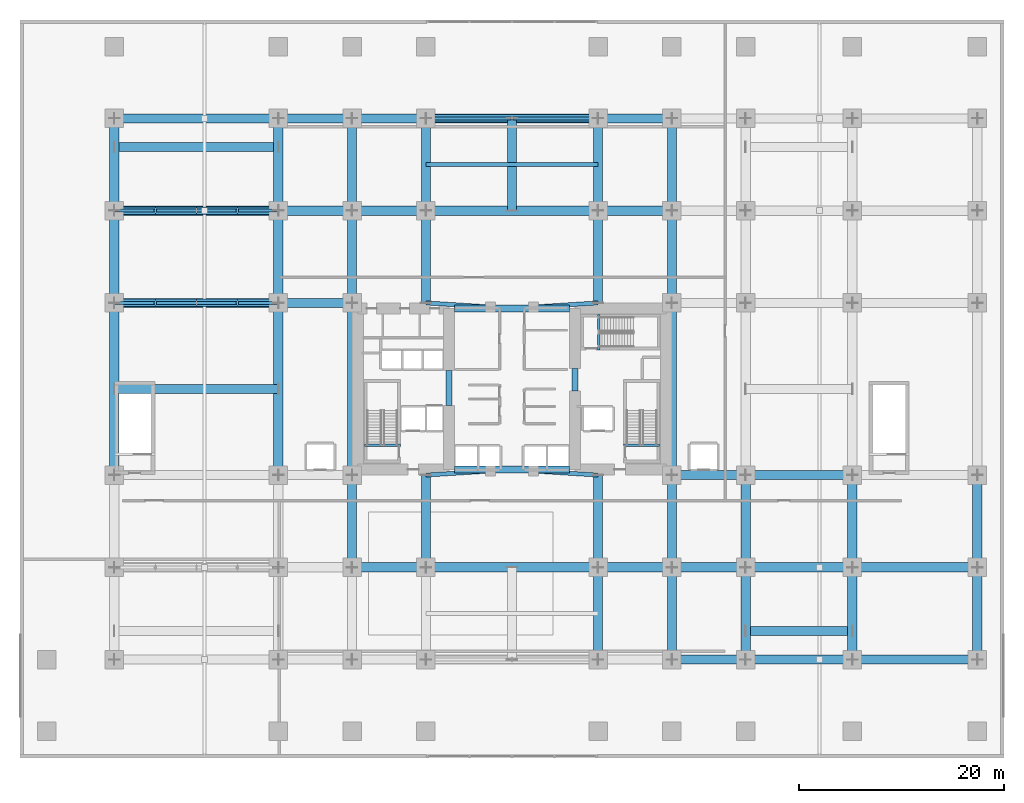
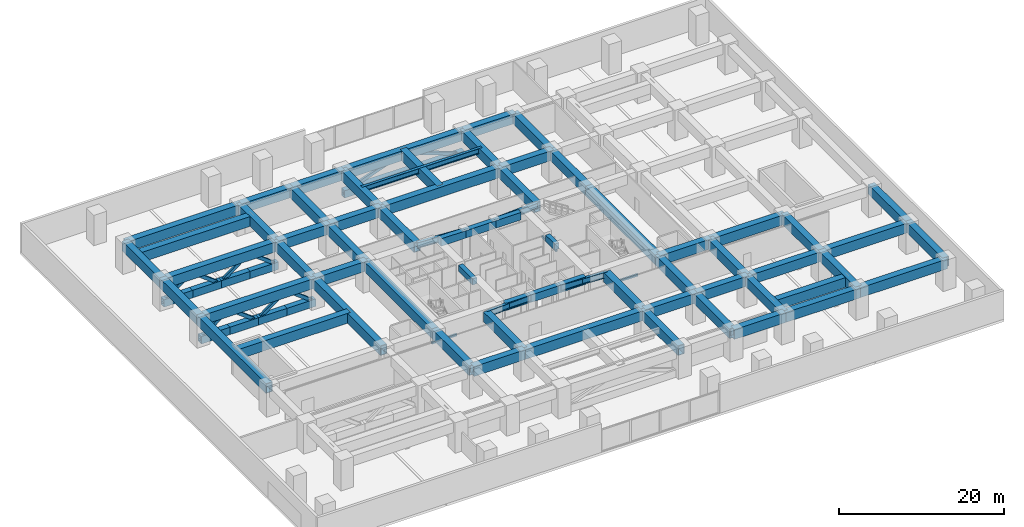
# One storey, part 5 of 25: 71 beams, 19 members.
"""IFC4 building model written with IfcOpenShell, lengths in metres."""

from ifc_helpers import new_model, si_unit, direction, frame, origin, origin_2d, place, context, subcontext, project, spatial, rectangle, hollow_rectangle, i_section, extrude, material, material_profile, profile_set, type_object, element, save


model = new_model("IFC4")

# Units and contexts
model_context = context("Model", 3, precision=1e-05, world=origin(), true_north=direction((0.0, 1.0)))
body_context = subcontext(model_context, "Body", "Model", "MODEL_VIEW")
ifc_project = project(units=[si_unit("LENGTHUNIT", "METRE"), si_unit("AREAUNIT", "SQUARE_METRE"), si_unit("VOLUMEUNIT", "CUBIC_METRE"), si_unit("PLANEANGLEUNIT", "RADIAN"), si_unit("MASSUNIT", "GRAM", prefix="KILO")], contexts=[model_context])

# Site, building, storey
site_placement = place(None, origin())
site = spatial("IfcSite", under=ifc_project, at=site_placement, CompositionType="ELEMENT")
building_placement = place(site_placement, origin())
building = spatial("IfcBuilding", under=site, at=building_placement, Name="Kiyonajd Concourse Tower", CompositionType="ELEMENT")
storey_placement = place(building_placement, frame((0.0, 0.0, 17.10009765625)))
storey = spatial("IfcBuildingStorey", under=building, at=storey_placement, Name="L05", CompositionType="ELEMENT", Elevation=17.10009765625)

# Beams
ifc_material_1 = material(Name="Concrete C70/85", Category="concrete")
ifc_material_profile_1 = material_profile(ifc_material_1, rectangle(XDim=0.699951171875, YDim=1.10009765625, at=origin_2d()), Name="RCBM-700x1100")
ifc_profile_set_1 = profile_set([ifc_material_profile_1], Name="Concrete C70/85")
beam_type_1 = type_object("IfcBeamType", Name="BM-COUP-1100", PredefinedType="LINTEL", material=ifc_profile_set_1)
beam_1_placement = place(storey_placement, frame((42.39990234375, 28.14990234375, 3.68994140625), z_axis=(1.0, 0.0, 0.0), x_axis=(0.0, 1.0, 0.0)))
element("IfcBeam", 1, at=beam_1_placement, inside=storey, type_object=beam_type_1, Name="L05 Core Coupling Beam S1", PredefinedType="LINTEL", context=body_context, shape_type="SweptSolid", body=[
    extrude(rectangle(XDim=0.699951171875, YDim=1.10009765625, at=origin_2d()), origin(), (0.0, 0.0, 1.0), 3.5),
])
beam_2_placement = place(storey_placement, frame((45.89990234375, 28.14990234375, 3.68994140625), z_axis=(1.0, 0.0, 0.0), x_axis=(0.0, 1.0, 0.0)))
element("IfcBeam", 2, at=beam_2_placement, inside=storey, type_object=beam_type_1, Name="L05 Core Coupling Beam S2", PredefinedType="LINTEL", context=body_context, shape_type="SweptSolid", body=[
    extrude(rectangle(XDim=0.699951171875, YDim=1.10009765625, at=origin_2d()), origin(), (0.0, 0.0, 1.0), 4.2001953125),
])
for number, where, z_axis, x_axis, name in (
    (3, (50.10009765625, 28.14990234375, 3.68994140625), (1.0, 0.0, 0.0), (0.0, 1.0, 0.0), "L05 Core Coupling Beam S3"),
    (4, (42.39990234375, 43.85009765625, 3.68994140625), (1.0, 0.0, 0.0), (0.0, 1.0, 0.0), "L05 Core Coupling Beam N1"),
):
    element("IfcBeam", number, at=place(storey_placement, frame(where, z_axis=z_axis, x_axis=x_axis)), inside=storey, type_object=beam_type_1, Name=name, PredefinedType="LINTEL", context=body_context, shape_type="SweptSolid", body=[
        extrude(rectangle(XDim=0.699951171875, YDim=1.10009765625, at=origin_2d()), origin(), (0.0, 0.0, 1.0), 3.5),
    ])
beam_3_placement = place(storey_placement, frame((45.89990234375, 43.85009765625, 3.68994140625), z_axis=(1.0, 0.0, 0.0), x_axis=(0.0, 1.0, 0.0)))
element("IfcBeam", 5, at=beam_3_placement, inside=storey, type_object=beam_type_1, Name="L05 Core Coupling Beam N2", PredefinedType="LINTEL", context=body_context, shape_type="SweptSolid", body=[
    extrude(rectangle(XDim=0.699951171875, YDim=1.10009765625, at=origin_2d()), origin(), (0.0, 0.0, 1.0), 4.2001953125),
])
beam_4_placement = place(storey_placement, frame((50.10009765625, 43.85009765625, 3.68994140625), z_axis=(1.0, 0.0, 0.0), x_axis=(0.0, 1.0, 0.0)))
element("IfcBeam", 6, at=beam_4_placement, inside=storey, type_object=beam_type_1, Name="L05 Core Coupling Beam N3", PredefinedType="LINTEL", context=body_context, shape_type="SweptSolid", body=[
    extrude(rectangle(XDim=0.699951171875, YDim=1.10009765625, at=origin_2d()), origin(), (0.0, 0.0, 1.0), 3.5),
])
ifc_material_2 = material(Name="Concrete C60/75", Category="concrete")
ifc_material_profile_2 = material_profile(ifc_material_2, rectangle(XDim=0.60009765625, YDim=0.89990234375, at=origin_2d()), Name="RCBM-600x900")
ifc_profile_set_2 = profile_set([ifc_material_profile_2], Name="Concrete C60/75")
beam_type_2 = type_object("IfcBeamType", Name="BM-COUP-900", PredefinedType="LINTEL", material=ifc_profile_set_2)
beam_5_placement = place(storey_placement, frame((41.85009765625, 34.39990234375, 3.68994140625), z_axis=(0.0, 1.0, 0.0), x_axis=(-1.0, 0.0, 0.0)))
element("IfcBeam", 7, at=beam_5_placement, inside=storey, type_object=beam_type_2, Name="L05 West Core Throat Coupling Lintel", PredefinedType="LINTEL", context=body_context, shape_type="SweptSolid", body=[
    extrude(rectangle(XDim=0.60009765625, YDim=0.89990234375, at=origin_2d()), origin(), (0.0, 0.0, 1.0), 3.400146484375),
])
beam_6_placement = place(storey_placement, frame((54.14990234375, 35.800048828125, 3.68994140625), z_axis=(0.0, 1.0, 0.0), x_axis=(-1.0, 0.0, 0.0)))
element("IfcBeam", 8, at=beam_6_placement, inside=storey, type_object=beam_type_2, Name="L05 East Core Throat Coupling Lintel", PredefinedType="LINTEL", context=body_context, shape_type="SweptSolid", body=[
    extrude(rectangle(XDim=0.60009765625, YDim=0.89990234375, at=origin_2d()), origin(), (0.0, 0.0, 1.0), 2.199951171875),
])
ifc_material_3 = material(Name="Concrete C50/60", Category="concrete")
ifc_material_profile_3 = material_profile(ifc_material_3, rectangle(XDim=0.239990234375, YDim=0.320068359375, at=origin_2d()), Name="RCBM-240x320")
ifc_profile_set_3 = profile_set([ifc_material_profile_3], Name="Concrete C50/60")
beam_type_3 = type_object("IfcBeamType", Name="BM-LNT-250", PredefinedType="LINTEL", material=ifc_profile_set_3)
for number, where, z_axis, x_axis, name in (
    (9, (33.590087890625, 30.530029296875, -0.16015625), (1.0, 0.0, 0.0), (0.0, 1.0, 0.0), "L05 Stair ST1 Threshold Support Beam"),
    (10, (58.889892578125, 30.530029296875, -0.16015625), (1.0, 0.0, 0.0), (0.0, 1.0, 0.0), "L05 Stair ST2 Threshold Support Beam"),
):
    element("IfcBeam", number, at=place(storey_placement, frame(where, z_axis=z_axis, x_axis=x_axis)), inside=storey, type_object=beam_type_3, Name=name, PredefinedType="LINTEL", context=body_context, shape_type="SweptSolid", body=[
        extrude(rectangle(XDim=0.239990234375, YDim=0.320068359375, at=origin_2d()), origin(), (0.0, 0.0, 1.0), 3.52001953125),
    ])
beam_7_placement = place(storey_placement, frame((56.4599609375, 39.820068359375, -0.16015625), z_axis=(0.0, 1.0, 0.0), x_axis=(-1.0, 0.0, 0.0)))
element("IfcBeam", 11, at=beam_7_placement, inside=storey, type_object=beam_type_3, Name="L05 Stair ST3 Threshold Support Beam", PredefinedType="LINTEL", context=body_context, shape_type="SweptSolid", body=[
    extrude(rectangle(XDim=0.239990234375, YDim=0.320068359375, at=origin_2d()), origin(), (0.0, 0.0, 1.0), 3.4599609375),
])
ifc_material_4 = material(Name="Steel ASTM A992 Grade 50", Category="steel")
ifc_material_profile_4 = material_profile(ifc_material_4, i_section(OverallWidth=0.381103515625, OverallDepth=0.77294921875, WebThickness=0.0166015625, FlangeThickness=0.027099609375, at=origin_2d()), Name="W760X257")
ifc_profile_set_4 = profile_set([ifc_material_profile_4], Name="Steel ASTM A992 Grade 50")
beam_type_4 = type_object("IfcBeamType", Name="BM-POD-760", PredefinedType="BEAM", material=ifc_profile_set_4)
beam_8_placement = place(storey_placement, frame((39.60009765625, 57.89990234375, 3.853515625), z_axis=(1.0, 0.0, 0.0), x_axis=(0.0, 1.0, 0.0)))
element("IfcBeam", 12, at=beam_8_placement, inside=storey, type_object=beam_type_4, Name="L05 North Loggia Bay Secondary Beam", PredefinedType="BEAM", context=body_context, shape_type="SweptSolid", body=[
    extrude(i_section(OverallWidth=0.381103515625, OverallDepth=0.77294921875, WebThickness=0.0166015625, FlangeThickness=0.027099609375, at=origin_2d()), origin(), (0.0, 0.0, 1.0), 16.7998046875),
])
ifc_material_profile_5 = material_profile(ifc_material_4, i_section(OverallWidth=0.39990234375, OverallDepth=0.85498046875, WebThickness=0.018310546875, FlangeThickness=0.029296875, at=origin_2d()), Name="W840X299")
ifc_profile_set_5 = profile_set([ifc_material_profile_5], Name="Steel ASTM A992 Grade 50")
beam_type_5 = type_object("IfcBeamType", Name="BM-POD-840", PredefinedType="BEAM", material=ifc_profile_set_5)
for number, where, z_axis, x_axis, name in (
    (13, (39.60009765625, 27.60009765625, 3.8125), (0.997991306609, 0.063351021556, 0.0), (-0.063351021556, 0.997991306609, 0.0), "L05 Core Tie Girder"),
    (14, (50.10009765625, 28.0, 3.8125), (0.997991306609, -0.063351021556, 0.0), (0.063351021556, 0.997991306609, 0.0), "L05 Core Tie Girder"),
    (15, (39.60009765625, 44.39990234375, 3.8125), (0.997991306609, -0.063351021556, 0.0), (0.063351021556, 0.997991306609, 0.0), "L05 Core Tie Girder"),
    (16, (50.10009765625, 44.0, 3.8125), (0.997991306609, 0.063351021556, 0.0), (-0.063351021556, 0.997991306609, 0.0), "L05 Core Tie Girder"),
):
    element("IfcBeam", number, at=place(storey_placement, frame(where, z_axis=z_axis, x_axis=x_axis)), inside=storey, type_object=beam_type_5, Name=name, PredefinedType="BEAM", context=body_context, shape_type="SweptSolid", body=[
        extrude(i_section(OverallWidth=0.39990234375, OverallDepth=0.85498046875, WebThickness=0.018310546875, FlangeThickness=0.029296875, at=origin_2d()), origin(), (0.0, 0.0, 1.0), 6.3125),
    ])
ifc_material_5 = material(Name="Steel ASTM A572 Grade 50", Category="steel")
ifc_material_profile_6 = material_profile(ifc_material_5, hollow_rectangle(XDim=0.89990234375, YDim=1.449951171875, WallThickness=0.074951171875, at=origin_2d()), Name="BOX-1450x900x75")
ifc_profile_set_6 = profile_set([ifc_material_profile_6], Name="Steel ASTM A572 Grade 50")
beam_type_6 = type_object("IfcBeamType", Name="BM-XFER-1800", PredefinedType="BEAM", material=ifc_profile_set_6)
beam_9_placement = place(storey_placement, frame((63.60009765625, 9.60009765625, 3.514892578125), z_axis=(1.0, 0.0, 0.0), x_axis=(0.0, 1.0, 0.0)))
element("IfcBeam", 17, at=beam_9_placement, inside=storey, type_object=beam_type_6, Name="L05 Primary Transfer Girder", PredefinedType="BEAM", context=body_context, shape_type="SweptSolid", body=[
    extrude(hollow_rectangle(XDim=0.89990234375, YDim=1.449951171875, WallThickness=0.074951171875, at=origin_2d()), origin(), (0.0, 0.0, 1.0), 7.199951171875),
])
beam_10_placement = place(storey_placement, frame((70.800048828125, 9.60009765625, 3.514892578125), z_axis=(1.0, 0.0, 0.0), x_axis=(0.0, 1.0, 0.0)))
element("IfcBeam", 18, at=beam_10_placement, inside=storey, type_object=beam_type_6, Name="L05 Primary Transfer Girder", PredefinedType="BEAM", context=body_context, shape_type="SweptSolid", body=[
    extrude(hollow_rectangle(XDim=0.89990234375, YDim=1.449951171875, WallThickness=0.074951171875, at=origin_2d()), origin(), (0.0, 0.0, 1.0), 10.39990234375),
])
beam_11_placement = place(storey_placement, frame((81.199951171875, 9.60009765625, 3.534912109375), z_axis=(1.0, 0.0, 0.0), x_axis=(0.0, 1.0, 0.0)))
element("IfcBeam", 19, at=beam_11_placement, inside=storey, type_object=beam_type_6, Name="L05 Primary Transfer Girder", PredefinedType="BEAM", context=body_context, shape_type="SweptSolid", body=[
    extrude(hollow_rectangle(XDim=0.89990234375, YDim=1.449951171875, WallThickness=0.074951171875, at=origin_2d()), origin(), (0.0, 0.0, 1.0), 12.199951171875),
])
beam_12_placement = place(storey_placement, frame((32.39990234375, 18.60009765625, 3.514892578125), z_axis=(1.0, 0.0, 0.0), x_axis=(0.0, 1.0, 0.0)))
element("IfcBeam", 20, at=beam_12_placement, inside=storey, type_object=beam_type_6, Name="L05 Primary Transfer Girder", PredefinedType="BEAM", context=body_context, shape_type="SweptSolid", body=[
    extrude(hollow_rectangle(XDim=0.89990234375, YDim=1.449951171875, WallThickness=0.074951171875, at=origin_2d()), origin(), (0.0, 0.0, 1.0), 7.2001953125),
])
beam_13_placement = place(storey_placement, frame((39.60009765625, 18.60009765625, 3.514892578125), z_axis=(1.0, 0.0, 0.0), x_axis=(0.0, 1.0, 0.0)))
element("IfcBeam", 21, at=beam_13_placement, inside=storey, type_object=beam_type_6, Name="L05 Primary Transfer Girder", PredefinedType="BEAM", context=body_context, shape_type="SweptSolid", body=[
    extrude(hollow_rectangle(XDim=0.89990234375, YDim=1.449951171875, WallThickness=0.074951171875, at=origin_2d()), origin(), (0.0, 0.0, 1.0), 16.7998046875),
])
beam_14_placement = place(storey_placement, frame((56.39990234375, 18.60009765625, 3.514892578125), z_axis=(1.0, 0.0, 0.0), x_axis=(0.0, 1.0, 0.0)))
element("IfcBeam", 22, at=beam_14_placement, inside=storey, type_object=beam_type_6, Name="L05 Primary Transfer Girder", PredefinedType="BEAM", context=body_context, shape_type="SweptSolid", body=[
    extrude(hollow_rectangle(XDim=0.89990234375, YDim=1.449951171875, WallThickness=0.074951171875, at=origin_2d()), origin(), (0.0, 0.0, 1.0), 7.2001953125),
])
beam_15_placement = place(storey_placement, frame((63.60009765625, 18.60009765625, 3.514892578125), z_axis=(1.0, 0.0, 0.0), x_axis=(0.0, 1.0, 0.0)))
element("IfcBeam", 23, at=beam_15_placement, inside=storey, type_object=beam_type_6, Name="L05 Primary Transfer Girder", PredefinedType="BEAM", context=body_context, shape_type="SweptSolid", body=[
    extrude(hollow_rectangle(XDim=0.89990234375, YDim=1.449951171875, WallThickness=0.074951171875, at=origin_2d()), origin(), (0.0, 0.0, 1.0), 7.199951171875),
])
beam_16_placement = place(storey_placement, frame((70.800048828125, 18.60009765625, 3.514892578125), z_axis=(1.0, 0.0, 0.0), x_axis=(0.0, 1.0, 0.0)))
element("IfcBeam", 24, at=beam_16_placement, inside=storey, type_object=beam_type_6, Name="L05 Primary Transfer Girder", PredefinedType="BEAM", context=body_context, shape_type="SweptSolid", body=[
    extrude(hollow_rectangle(XDim=0.89990234375, YDim=1.449951171875, WallThickness=0.074951171875, at=origin_2d()), origin(), (0.0, 0.0, 1.0), 10.39990234375),
])
beam_17_placement = place(storey_placement, frame((81.199951171875, 18.60009765625, 3.534912109375), z_axis=(1.0, 0.0, 0.0), x_axis=(0.0, 1.0, 0.0)))
element("IfcBeam", 25, at=beam_17_placement, inside=storey, type_object=beam_type_6, Name="L05 Primary Transfer Girder", PredefinedType="BEAM", context=body_context, shape_type="SweptSolid", body=[
    extrude(hollow_rectangle(XDim=0.89990234375, YDim=1.449951171875, WallThickness=0.074951171875, at=origin_2d()), origin(), (0.0, 0.0, 1.0), 12.199951171875),
])
beam_18_placement = place(storey_placement, frame((63.60009765625, 27.60009765625, 3.514892578125), z_axis=(1.0, 0.0, 0.0), x_axis=(0.0, 1.0, 0.0)))
element("IfcBeam", 26, at=beam_18_placement, inside=storey, type_object=beam_type_6, Name="L05 Primary Transfer Girder", PredefinedType="BEAM", context=body_context, shape_type="SweptSolid", body=[
    extrude(hollow_rectangle(XDim=0.89990234375, YDim=1.449951171875, WallThickness=0.074951171875, at=origin_2d()), origin(), (0.0, 0.0, 1.0), 7.199951171875),
])
beam_19_placement = place(storey_placement, frame((70.800048828125, 27.60009765625, 3.514892578125), z_axis=(1.0, 0.0, 0.0), x_axis=(0.0, 1.0, 0.0)))
element("IfcBeam", 27, at=beam_19_placement, inside=storey, type_object=beam_type_6, Name="L05 Primary Transfer Girder", PredefinedType="BEAM", context=body_context, shape_type="SweptSolid", body=[
    extrude(hollow_rectangle(XDim=0.89990234375, YDim=1.449951171875, WallThickness=0.074951171875, at=origin_2d()), origin(), (0.0, 0.0, 1.0), 10.39990234375),
])
beam_20_placement = place(storey_placement, frame((9.199951171875, 44.39990234375, 3.514892578125), z_axis=(1.0, 0.0, 0.0), x_axis=(0.0, 1.0, 0.0)))
element("IfcBeam", 28, at=beam_20_placement, inside=storey, type_object=beam_type_6, Name="L05 Primary Transfer Girder", PredefinedType="BEAM", context=body_context, shape_type="SweptSolid", body=[
    extrude(hollow_rectangle(XDim=0.89990234375, YDim=1.449951171875, WallThickness=0.074951171875, at=origin_2d()), origin(), (0.0, 0.0, 1.0), 16.0),
])
beam_21_placement = place(storey_placement, frame((25.199951171875, 44.39990234375, 3.514892578125), z_axis=(1.0, 0.0, 0.0), x_axis=(0.0, 1.0, 0.0)))
element("IfcBeam", 29, at=beam_21_placement, inside=storey, type_object=beam_type_6, Name="L05 Primary Transfer Girder", PredefinedType="BEAM", context=body_context, shape_type="SweptSolid", body=[
    extrude(hollow_rectangle(XDim=0.89990234375, YDim=1.449951171875, WallThickness=0.074951171875, at=origin_2d()), origin(), (0.0, 0.0, 1.0), 7.199951171875),
])
beam_22_placement = place(storey_placement, frame((9.199951171875, 53.39990234375, 3.514892578125), z_axis=(1.0, 0.0, 0.0), x_axis=(0.0, 1.0, 0.0)))
element("IfcBeam", 30, at=beam_22_placement, inside=storey, type_object=beam_type_6, Name="L05 Primary Transfer Girder", PredefinedType="BEAM", context=body_context, shape_type="SweptSolid", body=[
    extrude(hollow_rectangle(XDim=0.89990234375, YDim=1.449951171875, WallThickness=0.074951171875, at=origin_2d()), origin(), (0.0, 0.0, 1.0), 16.0),
])
beam_23_placement = place(storey_placement, frame((25.199951171875, 53.39990234375, 3.514892578125), z_axis=(1.0, 0.0, 0.0), x_axis=(0.0, 1.0, 0.0)))
element("IfcBeam", 31, at=beam_23_placement, inside=storey, type_object=beam_type_6, Name="L05 Primary Transfer Girder", PredefinedType="BEAM", context=body_context, shape_type="SweptSolid", body=[
    extrude(hollow_rectangle(XDim=0.89990234375, YDim=1.449951171875, WallThickness=0.074951171875, at=origin_2d()), origin(), (0.0, 0.0, 1.0), 7.199951171875),
])
beam_24_placement = place(storey_placement, frame((32.39990234375, 53.39990234375, 3.514892578125), z_axis=(1.0, 0.0, 0.0), x_axis=(0.0, 1.0, 0.0)))
element("IfcBeam", 32, at=beam_24_placement, inside=storey, type_object=beam_type_6, Name="L05 Primary Transfer Girder", PredefinedType="BEAM", context=body_context, shape_type="SweptSolid", body=[
    extrude(hollow_rectangle(XDim=0.89990234375, YDim=1.449951171875, WallThickness=0.074951171875, at=origin_2d()), origin(), (0.0, 0.0, 1.0), 7.2001953125),
])
beam_25_placement = place(storey_placement, frame((39.60009765625, 53.39990234375, 3.514892578125), z_axis=(1.0, 0.0, 0.0), x_axis=(0.0, 1.0, 0.0)))
element("IfcBeam", 33, at=beam_25_placement, inside=storey, type_object=beam_type_6, Name="L05 Primary Transfer Girder", PredefinedType="BEAM", context=body_context, shape_type="SweptSolid", body=[
    extrude(hollow_rectangle(XDim=0.89990234375, YDim=1.449951171875, WallThickness=0.074951171875, at=origin_2d()), origin(), (0.0, 0.0, 1.0), 16.7998046875),
])
beam_26_placement = place(storey_placement, frame((56.39990234375, 53.39990234375, 3.514892578125), z_axis=(1.0, 0.0, 0.0), x_axis=(0.0, 1.0, 0.0)))
element("IfcBeam", 34, at=beam_26_placement, inside=storey, type_object=beam_type_6, Name="L05 Primary Transfer Girder", PredefinedType="BEAM", context=body_context, shape_type="SweptSolid", body=[
    extrude(hollow_rectangle(XDim=0.89990234375, YDim=1.449951171875, WallThickness=0.074951171875, at=origin_2d()), origin(), (0.0, 0.0, 1.0), 7.2001953125),
])
beam_27_placement = place(storey_placement, frame((9.199951171875, 62.39990234375, 3.514892578125), z_axis=(1.0, 0.0, 0.0), x_axis=(0.0, 1.0, 0.0)))
element("IfcBeam", 35, at=beam_27_placement, inside=storey, type_object=beam_type_6, Name="L05 Primary Transfer Girder", PredefinedType="BEAM", context=body_context, shape_type="SweptSolid", body=[
    extrude(hollow_rectangle(XDim=0.89990234375, YDim=1.449951171875, WallThickness=0.074951171875, at=origin_2d()), origin(), (0.0, 0.0, 1.0), 16.0),
])
beam_28_placement = place(storey_placement, frame((25.199951171875, 62.39990234375, 3.514892578125), z_axis=(1.0, 0.0, 0.0), x_axis=(0.0, 1.0, 0.0)))
element("IfcBeam", 36, at=beam_28_placement, inside=storey, type_object=beam_type_6, Name="L05 Primary Transfer Girder", PredefinedType="BEAM", context=body_context, shape_type="SweptSolid", body=[
    extrude(hollow_rectangle(XDim=0.89990234375, YDim=1.449951171875, WallThickness=0.074951171875, at=origin_2d()), origin(), (0.0, 0.0, 1.0), 7.199951171875),
])
beam_29_placement = place(storey_placement, frame((32.39990234375, 62.39990234375, 3.514892578125), z_axis=(1.0, 0.0, 0.0), x_axis=(0.0, 1.0, 0.0)))
element("IfcBeam", 37, at=beam_29_placement, inside=storey, type_object=beam_type_6, Name="L05 Primary Transfer Girder", PredefinedType="BEAM", context=body_context, shape_type="SweptSolid", body=[
    extrude(hollow_rectangle(XDim=0.89990234375, YDim=1.449951171875, WallThickness=0.074951171875, at=origin_2d()), origin(), (0.0, 0.0, 1.0), 7.2001953125),
])
beam_30_placement = place(storey_placement, frame((39.60009765625, 62.39990234375, 3.514892578125), z_axis=(1.0, 0.0, 0.0), x_axis=(0.0, 1.0, 0.0)))
element("IfcBeam", 38, at=beam_30_placement, inside=storey, type_object=beam_type_6, Name="L05 Primary Transfer Girder", PredefinedType="BEAM", context=body_context, shape_type="SweptSolid", body=[
    extrude(hollow_rectangle(XDim=0.89990234375, YDim=1.449951171875, WallThickness=0.074951171875, at=origin_2d()), origin(), (0.0, 0.0, 1.0), 16.7998046875),
])
beam_31_placement = place(storey_placement, frame((56.39990234375, 62.39990234375, 3.514892578125), z_axis=(1.0, 0.0, 0.0), x_axis=(0.0, 1.0, 0.0)))
element("IfcBeam", 39, at=beam_31_placement, inside=storey, type_object=beam_type_6, Name="L05 Primary Transfer Girder", PredefinedType="BEAM", context=body_context, shape_type="SweptSolid", body=[
    extrude(hollow_rectangle(XDim=0.89990234375, YDim=1.449951171875, WallThickness=0.074951171875, at=origin_2d()), origin(), (0.0, 0.0, 1.0), 7.2001953125),
])
beam_32_placement = place(storey_placement, frame((9.199951171875, 27.60009765625, 3.534912109375), z_axis=(0.0, 1.0, 0.0), x_axis=(-1.0, 0.0, 0.0)))
element("IfcBeam", 40, at=beam_32_placement, inside=storey, type_object=beam_type_6, Name="L05 Primary Transfer Girder", PredefinedType="BEAM", context=body_context, shape_type="SweptSolid", body=[
    extrude(hollow_rectangle(XDim=0.89990234375, YDim=1.449951171875, WallThickness=0.074951171875, at=origin_2d()), origin(), (0.0, 0.0, 1.0), 16.7998046875),
])
for number, where, z_axis, x_axis, name in (
    (41, (9.199951171875, 44.39990234375, 3.534912109375), (0.0, 1.0, 0.0), (-1.0, 0.0, 0.0), "L05 Primary Transfer Girder"),
    (42, (9.199951171875, 53.39990234375, 3.534912109375), (0.0, 1.0, 0.0), (-1.0, 0.0, 0.0), "L05 Primary Transfer Girder"),
):
    element("IfcBeam", number, at=place(storey_placement, frame(where, z_axis=z_axis, x_axis=x_axis)), inside=storey, type_object=beam_type_6, Name=name, PredefinedType="BEAM", context=body_context, shape_type="SweptSolid", body=[
        extrude(hollow_rectangle(XDim=0.89990234375, YDim=1.449951171875, WallThickness=0.074951171875, at=origin_2d()), origin(), (0.0, 0.0, 1.0), 9.0),
    ])
beam_33_placement = place(storey_placement, frame((25.199951171875, 27.60009765625, 3.514892578125), z_axis=(0.0, 1.0, 0.0), x_axis=(-1.0, 0.0, 0.0)))
element("IfcBeam", 43, at=beam_33_placement, inside=storey, type_object=beam_type_6, Name="L05 Primary Transfer Girder", PredefinedType="BEAM", context=body_context, shape_type="SweptSolid", body=[
    extrude(hollow_rectangle(XDim=0.89990234375, YDim=1.449951171875, WallThickness=0.074951171875, at=origin_2d()), origin(), (0.0, 0.0, 1.0), 16.7998046875),
])
for number, where, z_axis, x_axis, name in (
    (44, (25.199951171875, 44.39990234375, 3.514892578125), (0.0, 1.0, 0.0), (-1.0, 0.0, 0.0), "L05 Primary Transfer Girder"),
    (45, (25.199951171875, 53.39990234375, 3.514892578125), (0.0, 1.0, 0.0), (-1.0, 0.0, 0.0), "L05 Primary Transfer Girder"),
    (46, (32.39990234375, 18.60009765625, 3.514892578125), (0.0, 1.0, 0.0), (-1.0, 0.0, 0.0), "L05 Primary Transfer Girder"),
):
    element("IfcBeam", number, at=place(storey_placement, frame(where, z_axis=z_axis, x_axis=x_axis)), inside=storey, type_object=beam_type_6, Name=name, PredefinedType="BEAM", context=body_context, shape_type="SweptSolid", body=[
        extrude(hollow_rectangle(XDim=0.89990234375, YDim=1.449951171875, WallThickness=0.074951171875, at=origin_2d()), origin(), (0.0, 0.0, 1.0), 9.0),
    ])
beam_34_placement = place(storey_placement, frame((32.39990234375, 27.60009765625, 3.514892578125), z_axis=(0.0, 1.0, 0.0), x_axis=(-1.0, 0.0, 0.0)))
element("IfcBeam", 47, at=beam_34_placement, inside=storey, type_object=beam_type_6, Name="L05 Primary Transfer Girder", PredefinedType="BEAM", context=body_context, shape_type="SweptSolid", body=[
    extrude(hollow_rectangle(XDim=0.89990234375, YDim=1.449951171875, WallThickness=0.074951171875, at=origin_2d()), origin(), (0.0, 0.0, 1.0), 16.7998046875),
])
for number, where, z_axis, x_axis, name in (
    (48, (32.39990234375, 44.39990234375, 3.514892578125), (0.0, 1.0, 0.0), (-1.0, 0.0, 0.0), "L05 Primary Transfer Girder"),
    (49, (32.39990234375, 53.39990234375, 3.514892578125), (0.0, 1.0, 0.0), (-1.0, 0.0, 0.0), "L05 Primary Transfer Girder"),
    (50, (39.60009765625, 18.60009765625, 3.514892578125), (0.0, 1.0, 0.0), (-1.0, 0.0, 0.0), "L05 Primary Transfer Girder"),
    (51, (39.60009765625, 44.39990234375, 3.514892578125), (0.0, 1.0, 0.0), (-1.0, 0.0, 0.0), "L05 Primary Transfer Girder"),
    (52, (39.60009765625, 53.39990234375, 3.514892578125), (0.0, 1.0, 0.0), (-1.0, 0.0, 0.0), "L05 Primary Transfer Girder"),
    (53, (56.39990234375, 9.60009765625, 3.514892578125), (0.0, 1.0, 0.0), (-1.0, 0.0, 0.0), "L05 Primary Transfer Girder"),
    (54, (56.39990234375, 18.60009765625, 3.514892578125), (0.0, 1.0, 0.0), (-1.0, 0.0, 0.0), "L05 Primary Transfer Girder"),
    (55, (56.39990234375, 44.39990234375, 3.514892578125), (0.0, 1.0, 0.0), (-1.0, 0.0, 0.0), "L05 Primary Transfer Girder"),
    (56, (56.39990234375, 53.39990234375, 3.514892578125), (0.0, 1.0, 0.0), (-1.0, 0.0, 0.0), "L05 Primary Transfer Girder"),
    (57, (63.60009765625, 9.60009765625, 3.514892578125), (0.0, 1.0, 0.0), (-1.0, 0.0, 0.0), "L05 Primary Transfer Girder"),
    (58, (63.60009765625, 18.60009765625, 3.514892578125), (0.0, 1.0, 0.0), (-1.0, 0.0, 0.0), "L05 Primary Transfer Girder"),
):
    element("IfcBeam", number, at=place(storey_placement, frame(where, z_axis=z_axis, x_axis=x_axis)), inside=storey, type_object=beam_type_6, Name=name, PredefinedType="BEAM", context=body_context, shape_type="SweptSolid", body=[
        extrude(hollow_rectangle(XDim=0.89990234375, YDim=1.449951171875, WallThickness=0.074951171875, at=origin_2d()), origin(), (0.0, 0.0, 1.0), 9.0),
    ])
beam_35_placement = place(storey_placement, frame((63.60009765625, 27.60009765625, 3.514892578125), z_axis=(0.0, 1.0, 0.0), x_axis=(-1.0, 0.0, 0.0)))
element("IfcBeam", 59, at=beam_35_placement, inside=storey, type_object=beam_type_6, Name="L05 Primary Transfer Girder", PredefinedType="BEAM", context=body_context, shape_type="SweptSolid", body=[
    extrude(hollow_rectangle(XDim=0.89990234375, YDim=1.449951171875, WallThickness=0.074951171875, at=origin_2d()), origin(), (0.0, 0.0, 1.0), 16.7998046875),
])
for number, where, z_axis, x_axis, name in (
    (60, (63.60009765625, 44.39990234375, 3.514892578125), (0.0, 1.0, 0.0), (-1.0, 0.0, 0.0), "L05 Primary Transfer Girder"),
    (61, (63.60009765625, 53.39990234375, 3.514892578125), (0.0, 1.0, 0.0), (-1.0, 0.0, 0.0), "L05 Primary Transfer Girder"),
    (62, (70.800048828125, 9.60009765625, 3.514892578125), (0.0, 1.0, 0.0), (-1.0, 0.0, 0.0), "L05 Primary Transfer Girder"),
    (63, (70.800048828125, 18.60009765625, 3.514892578125), (0.0, 1.0, 0.0), (-1.0, 0.0, 0.0), "L05 Primary Transfer Girder"),
    (64, (81.199951171875, 9.60009765625, 3.534912109375), (0.0, 1.0, 0.0), (-1.0, 0.0, 0.0), "L05 Primary Transfer Girder"),
    (65, (81.199951171875, 18.60009765625, 3.534912109375), (0.0, 1.0, 0.0), (-1.0, 0.0, 0.0), "L05 Primary Transfer Girder"),
    (66, (93.39990234375, 9.60009765625, 3.534912109375), (0.0, 1.0, 0.0), (-1.0, 0.0, 0.0), "L05 Primary Transfer Girder"),
    (67, (93.39990234375, 18.60009765625, 3.534912109375), (0.0, 1.0, 0.0), (-1.0, 0.0, 0.0), "L05 Primary Transfer Girder"),
):
    element("IfcBeam", number, at=place(storey_placement, frame(where, z_axis=z_axis, x_axis=x_axis)), inside=storey, type_object=beam_type_6, Name=name, PredefinedType="BEAM", context=body_context, shape_type="SweptSolid", body=[
        extrude(hollow_rectangle(XDim=0.89990234375, YDim=1.449951171875, WallThickness=0.074951171875, at=origin_2d()), origin(), (0.0, 0.0, 1.0), 9.0),
    ])
beam_36_placement = place(storey_placement, frame((70.800048828125, 12.39990234375, 3.514892578125), z_axis=(1.0, 0.0, 0.0), x_axis=(0.0, 1.0, 0.0)))
element("IfcBeam", 68, at=beam_36_placement, inside=storey, type_object=beam_type_6, Name="L05 Column Transfer Girder", PredefinedType="BEAM", context=body_context, shape_type="SweptSolid", body=[
    extrude(hollow_rectangle(XDim=0.89990234375, YDim=1.449951171875, WallThickness=0.074951171875, at=origin_2d()), origin(), (0.0, 0.0, 1.0), 10.39990234375),
])
beam_37_placement = place(storey_placement, frame((9.199951171875, 59.60009765625, 3.514892578125), z_axis=(1.0, 0.0, 0.0), x_axis=(0.0, 1.0, 0.0)))
element("IfcBeam", 69, at=beam_37_placement, inside=storey, type_object=beam_type_6, Name="L05 Column Transfer Girder", PredefinedType="BEAM", context=body_context, shape_type="SweptSolid", body=[
    extrude(hollow_rectangle(XDim=0.89990234375, YDim=1.449951171875, WallThickness=0.074951171875, at=origin_2d()), origin(), (0.0, 0.0, 1.0), 16.0),
])
beam_38_placement = place(storey_placement, frame((48.0, 53.39990234375, 3.514892578125), z_axis=(0.0, 1.0, 0.0), x_axis=(-1.0, 0.0, 0.0)))
element("IfcBeam", 70, at=beam_38_placement, inside=storey, type_object=beam_type_6, Name="L05 Column Transfer Girder", PredefinedType="BEAM", context=body_context, shape_type="SweptSolid", body=[
    extrude(hollow_rectangle(XDim=0.89990234375, YDim=1.449951171875, WallThickness=0.074951171875, at=origin_2d()), origin(), (0.0, 0.0, 1.0), 9.0),
])
beam_39_placement = place(storey_placement, frame((9.199951171875, 36.0, 3.514892578125), z_axis=(1.0, 0.0, 0.0), x_axis=(0.0, 1.0, 0.0)))
element("IfcBeam", 71, at=beam_39_placement, inside=storey, type_object=beam_type_6, Name="L05 Column Transfer Girder", PredefinedType="BEAM", context=body_context, shape_type="SweptSolid", body=[
    extrude(hollow_rectangle(XDim=0.89990234375, YDim=1.449951171875, WallThickness=0.074951171875, at=origin_2d()), origin(), (0.0, 0.0, 1.0), 16.0),
])

# Members
ifc_material_6 = material(Name="Steel ASTM A500 Grade C", Category="steel")
ifc_material_profile_7 = material_profile(ifc_material_6, hollow_rectangle(XDim=0.300048828125, YDim=0.449951171875, WallThickness=0.02197265625, at=origin_2d()), Name="HSS-450x300x22")
ifc_profile_set_7 = profile_set([ifc_material_profile_7], Name="Steel ASTM A500 Grade C")
member_type_1 = type_object("IfcMemberType", Name="MB-OT-DIAG", PredefinedType="BRACE", material=ifc_profile_set_7)
for number, where, z_axis, x_axis, name in (
    (72, (9.199951171875, 44.39990234375, 0.5498046875), (0.796158448552, 0.0, 0.605088195885), (0.0, 1.0, 0.0), "L05 Transfer Truss Diagonal 05"),
    (73, (13.199951171875, 44.39990234375, 3.58984375), (0.796158448552, 0.0, -0.605088195885), (0.0, 1.0, 0.0), "L05 Transfer Truss Diagonal 06"),
    (74, (17.199951171875, 44.39990234375, 0.5498046875), (0.796158448552, 0.0, 0.605088195885), (0.0, 1.0, 0.0), "L05 Transfer Truss Diagonal 07"),
    (75, (21.199951171875, 44.39990234375, 3.58984375), (0.796158448552, 0.0, -0.605088195885), (0.0, 1.0, 0.0), "L05 Transfer Truss Diagonal 08"),
    (76, (9.199951171875, 53.39990234375, 0.5498046875), (0.796158448552, 0.0, 0.605088195885), (0.0, 1.0, 0.0), "L05 Transfer Truss Diagonal 09"),
    (77, (13.199951171875, 53.39990234375, 3.58984375), (0.796158448552, 0.0, -0.605088195885), (0.0, 1.0, 0.0), "L05 Transfer Truss Diagonal 10"),
    (78, (17.199951171875, 53.39990234375, 0.5498046875), (0.796158448552, 0.0, 0.605088195885), (0.0, 1.0, 0.0), "L05 Transfer Truss Diagonal 11"),
    (79, (21.199951171875, 53.39990234375, 3.58984375), (0.796158448552, 0.0, -0.605088195885), (0.0, 1.0, 0.0), "L05 Transfer Truss Diagonal 12"),
):
    element("IfcMember", number, at=place(storey_placement, frame(where, z_axis=z_axis, x_axis=x_axis)), inside=storey, type_object=member_type_1, Name=name, PredefinedType="BRACE", context=body_context, shape_type="SweptSolid", body=[
        extrude(hollow_rectangle(XDim=0.300048828125, YDim=0.449951171875, WallThickness=0.02197265625, at=origin_2d()), origin(), (0.0, 0.0, 1.0), 5.024169921875),
    ])
for number, where, z_axis, x_axis, name in (
    (80, (39.60009765625, 62.39990234375, 0.5498046875), (0.9403126, 0.0, 0.340311936732), (0.0, 1.0, 0.0), "L05 Transfer Truss Diagonal 15"),
    (81, (56.39990234375, 62.39990234375, 0.5498046875), (-0.9403126, 0.0, 0.340311936732), (0.0, -1.0, 0.0), "L05 Transfer Truss Diagonal 16"),
):
    element("IfcMember", number, at=place(storey_placement, frame(where, z_axis=z_axis, x_axis=x_axis)), inside=storey, type_object=member_type_1, Name=name, PredefinedType="BRACE", context=body_context, shape_type="SweptSolid", body=[
        extrude(hollow_rectangle(XDim=0.300048828125, YDim=0.449951171875, WallThickness=0.02197265625, at=origin_2d()), origin(), (0.0, 0.0, 1.0), 8.93310546875),
    ])
ifc_material_profile_8 = material_profile(ifc_material_5, hollow_rectangle(XDim=0.75, YDim=1.10009765625, WallThickness=0.06005859375, at=origin_2d()), Name="BOX-1100x750x60")
ifc_profile_set_8 = profile_set([ifc_material_profile_8], Name="Steel ASTM A572 Grade 50")
member_type_2 = type_object("IfcMemberType", Name="MB-TR-CHORD", PredefinedType="CHORD", material=ifc_profile_set_8)
for number, where, z_axis, x_axis, name in (
    (82, (9.199951171875, 44.39990234375, 0.5498046875), (1.0, 0.0, 0.0), (0.0, 1.0, 0.0), "L05 Transfer Truss Bottom Chord 1"),
    (83, (13.199951171875, 44.39990234375, 0.5498046875), (1.0, 0.0, 0.0), (0.0, 1.0, 0.0), "L05 Transfer Truss Bottom Chord 2"),
    (84, (17.199951171875, 44.39990234375, 0.5498046875), (1.0, 0.0, 0.0), (0.0, 1.0, 0.0), "L05 Transfer Truss Bottom Chord 3"),
    (85, (21.199951171875, 44.39990234375, 0.5498046875), (1.0, 0.0, 0.0), (0.0, 1.0, 0.0), "L05 Transfer Truss Bottom Chord 4"),
    (86, (9.199951171875, 53.39990234375, 0.5498046875), (1.0, 0.0, 0.0), (0.0, 1.0, 0.0), "L05 Transfer Truss Bottom Chord 1"),
    (87, (13.199951171875, 53.39990234375, 0.5498046875), (1.0, 0.0, 0.0), (0.0, 1.0, 0.0), "L05 Transfer Truss Bottom Chord 2"),
    (88, (17.199951171875, 53.39990234375, 0.5498046875), (1.0, 0.0, 0.0), (0.0, 1.0, 0.0), "L05 Transfer Truss Bottom Chord 3"),
    (89, (21.199951171875, 53.39990234375, 0.5498046875), (1.0, 0.0, 0.0), (0.0, 1.0, 0.0), "L05 Transfer Truss Bottom Chord 4"),
):
    element("IfcMember", number, at=place(storey_placement, frame(where, z_axis=z_axis, x_axis=x_axis)), inside=storey, type_object=member_type_2, Name=name, PredefinedType="CHORD", context=body_context, shape_type="SweptSolid", body=[
        extrude(hollow_rectangle(XDim=0.75, YDim=1.10009765625, WallThickness=0.06005859375, at=origin_2d()), origin(), (0.0, 0.0, 1.0), 4.0),
    ])
member_placement = place(storey_placement, frame((39.60009765625, 62.39990234375, 0.5498046875), z_axis=(1.0, 0.0, 0.0), x_axis=(0.0, 1.0, 0.0)))
element("IfcMember", 90, at=member_placement, inside=storey, type_object=member_type_2, Name="L05 Concourse Transfer Truss Bottom Chord", PredefinedType="CHORD", context=body_context, shape_type="SweptSolid", body=[
    extrude(hollow_rectangle(XDim=0.75, YDim=1.10009765625, WallThickness=0.06005859375, at=origin_2d()), origin(), (0.0, 0.0, 1.0), 16.7998046875),
])

save(model, "model.ifc")
